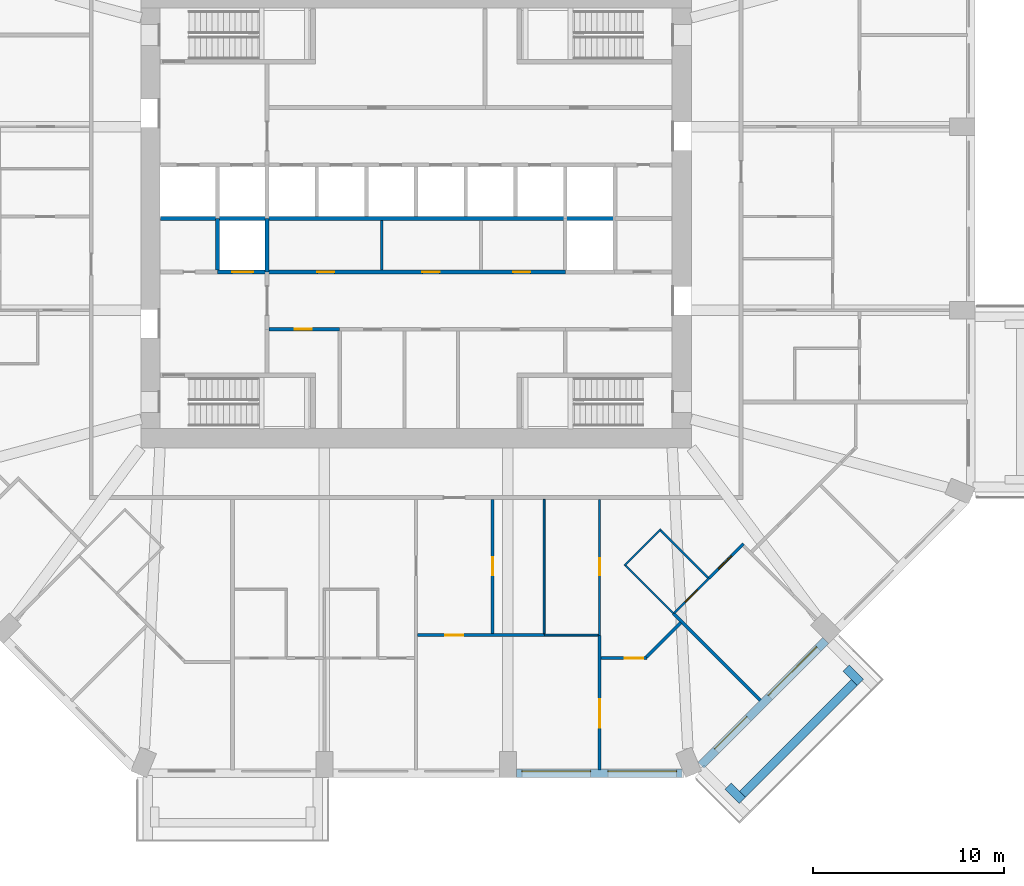
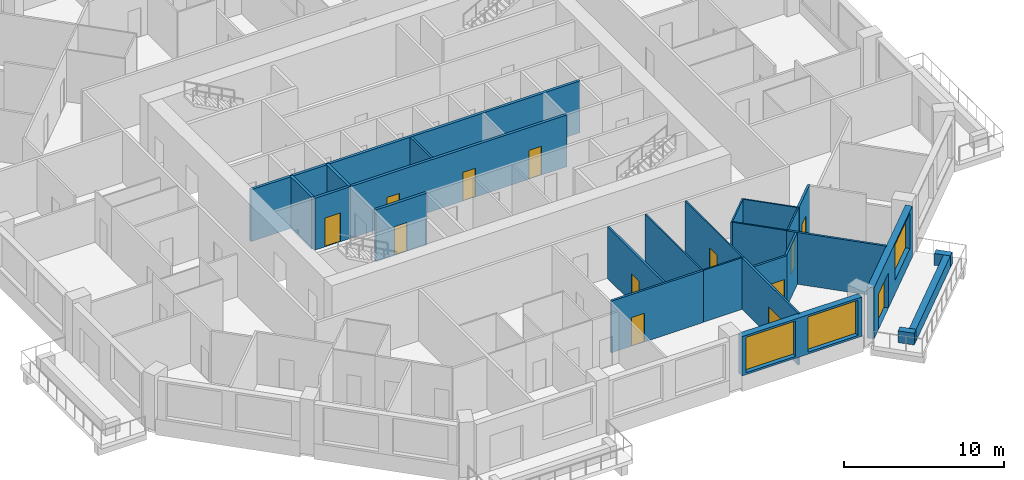
# One storey, part 5 of 13: 26 walls, 13 doors, 3 windows, 16 openings.
"""IFC4 building model written with IfcOpenShell, lengths in metres."""

import ifcopenshell
import ifcopenshell.guid

model = None  # the IFC model being written
_history = None  # IfcOwnerHistory: only IFC2X3 demands one
_inside = {}  # id of a spatial element -> (the spatial element, [elements in it])
_under = {}  # id of a project, library or spatial element -> (it, [spatial elements below it])
_declared = {}  # id of a project -> (the project, [libraries it declares])
_typed = {}  # id of a type object -> (the type object, [elements of that type])
_made_of = {}  # id of a material, layer set ... -> (it, [elements and type objects made of it])


def new_model(schema):
    """Start an empty IFC model of exactly this schema.

    Asked for "IFC4X3", IfcOpenShell would pick the latest addendum, in which some entities
    have other attributes; the version numbers below select the first issue.
    IFC2X3 requires an IfcOwnerHistory on every rooted entity: one is made here for all.
    """
    global model, _history
    if schema == "IFC4X3":
        model = ifcopenshell.file(schema_version=(4, 3, 0, 0))
    else:
        model = ifcopenshell.file(schema=schema)
    _inside.clear()
    _under.clear()
    _declared.clear()
    _typed.clear()
    _made_of.clear()
    _history = None
    if model.schema == "IFC2X3":
        org = make("IfcOrganization", Name="unknown")
        user = make(
            "IfcPersonAndOrganization",
            ThePerson=make("IfcPerson", FamilyName="unknown"),
            TheOrganization=org,
        )
        app = make(
            "IfcApplication",
            ApplicationDeveloper=org,
            Version="unknown",
            ApplicationFullName="unknown",
            ApplicationIdentifier="unknown",
        )
        _history = make(
            "IfcOwnerHistory",
            OwningUser=user,
            OwningApplication=app,
            ChangeAction="ADDED",
            CreationDate=0,
        )
    return model


def make(cls, **values):
    """One entity of the class cls with the attributes given. An attribute that is None is left unset."""
    return model.create_entity(
        cls, **{name: value for name, value in values.items() if value is not None}
    )


def rooted(cls, **values):
    """An entity with a GlobalId (a new one), such as an element, a storey or a relation."""
    return make(cls, GlobalId=ifcopenshell.guid.new(), OwnerHistory=_history, **values)


def si_unit(unit_type, name, prefix=None):
    """IfcSIUnit, for example si_unit("LENGTHUNIT", "METRE", prefix="MILLI")."""
    return make("IfcSIUnit", UnitType=unit_type, Prefix=prefix, Name=name)


def assignment(units):
    """IfcUnitAssignment: the units of a project."""
    return None if units is None else make("IfcUnitAssignment", Units=units)


def point(xyz):
    """IfcCartesianPoint."""
    return None if xyz is None else make("IfcCartesianPoint", Coordinates=xyz)


def direction(xyz):
    """IfcDirection."""
    return None if xyz is None else make("IfcDirection", DirectionRatios=xyz)


def frame(location, z_axis=None, x_axis=None):
    """IfcAxis2Placement3D, a coordinate frame: its origin and axes. An axis left out is left unset."""
    return make(
        "IfcAxis2Placement3D",
        Location=point(location),
        Axis=direction(z_axis),
        RefDirection=direction(x_axis),
    )


def frame_2d(location, x_axis=None):
    """IfcAxis2Placement2D, a coordinate frame in the plane: its origin and x axis."""
    return make(
        "IfcAxis2Placement2D", Location=point(location), RefDirection=direction(x_axis)
    )


def origin():
    """The frame at (0, 0, 0) with its axes left unset."""
    return frame((0.0, 0.0, 0.0))


def place(relative_to, where):
    """IfcLocalPlacement: puts the frame where relative to a parent placement (None: the world)."""
    return make(
        "IfcLocalPlacement", PlacementRelTo=relative_to, RelativePlacement=where
    )


def context(
    kind, dimensions, precision=None, world=None, true_north=None, identifier=None
):
    """IfcGeometricRepresentationContext, for example the 3D "Model" context."""
    return make(
        "IfcGeometricRepresentationContext",
        ContextIdentifier=identifier,
        ContextType=kind,
        CoordinateSpaceDimension=dimensions,
        Precision=precision,
        WorldCoordinateSystem=world,
        TrueNorth=true_north,
    )


def subcontext(parent, identifier, kind, view, scale=None):
    """IfcGeometricRepresentationSubContext, for example "Body" below "Model"."""
    return make(
        "IfcGeometricRepresentationSubContext",
        ContextIdentifier=identifier,
        ContextType=kind,
        ParentContext=parent,
        TargetScale=scale,
        TargetView=view,
    )


def project(units=None, contexts=None):
    """IfcProject with its units and contexts."""
    return rooted(
        "IfcProject",
        Name="project",
        RepresentationContexts=contexts,
        UnitsInContext=assignment(units),
    )


def spatial(cls, under=None, at=None, **own):
    """A site, building, storey or space (cls), placed at a placement, below another one or the project."""
    s = rooted(cls, ObjectPlacement=at, **own)
    if under is not None:
        _under.setdefault(under.id(), (under, []))[1].append(s)
    return s


def profile(cls, at=None, kind="AREA", **sizes):
    """A parametric profile (cls). Its sizes go by their IFC names, for example OverallWidth=200.0."""
    return make(cls, ProfileType=kind, Position=at, **sizes)


def rectangle(**sizes):
    """IfcRectangleProfileDef."""
    return profile("IfcRectangleProfileDef", **sizes)


def extrude(swept, where, along, depth):
    """IfcExtrudedAreaSolid: the profile swept, set in the frame where, extruded along a direction by depth."""
    return make(
        "IfcExtrudedAreaSolid",
        SweptArea=swept,
        Position=where,
        ExtrudedDirection=direction(along),
        Depth=depth,
    )


def shape(context_of_items, identifier, shape_type, items):
    """IfcShapeRepresentation: the items that make up one representation, for example the "Body"."""
    return make(
        "IfcShapeRepresentation",
        ContextOfItems=context_of_items,
        RepresentationIdentifier=identifier,
        RepresentationType=shape_type,
        Items=items,
    )


def material(Name=None, Category=None):
    """IfcMaterial."""
    return make("IfcMaterial", Name=Name, Category=Category)


def layer(
    of_material, thickness, ventilated=None, Name=None, Category=None, Priority=None
):
    """IfcMaterialLayer: one layer of a wall or slab, of a material (None: an air gap)."""
    return make(
        "IfcMaterialLayer",
        Material=of_material,
        LayerThickness=thickness,
        IsVentilated=ventilated,
        Name=Name,
        Category=Category,
        Priority=Priority,
    )


def layer_set(layers, Name=None):
    """IfcMaterialLayerSet."""
    return make("IfcMaterialLayerSet", MaterialLayers=layers, LayerSetName=Name)


def made_of(thing, what):
    """Note that an element or type object is made of a material, layer set ...; save() writes the relation."""
    if what is not None:
        _made_of.setdefault(what.id(), (what, []))[1].append(thing)
    return thing


def type_object(cls, material=None, **own):
    """A type object (cls), such as IfcWallType, which elements share."""
    return made_of(rooted(cls, **own), material)


def element(
    cls,
    number,
    at=None,
    inside=None,
    cuts=None,
    type_object=None,
    material=None,
    context=None,
    identifier="Body",
    shape_type=None,
    held_by="IfcProductDefinitionShape",
    body=None,
    shapes=None,
    **own,
):
    """One element of the class cls, such as IfcWall. Its Tag is "e" and its number.

    at: its placement. inside: the storey or other place that contains it. cuts: it is an
    opening in that element (IfcRelVoidsElement). A single representation is given by context,
    identifier, shape_type and body (its items); several are given by shapes. held_by: the class
    of the entity that holds the representations. save() writes the other relations.
    """
    e = rooted(cls, Tag="e%d" % number, ObjectPlacement=at, **own)
    if body is not None:
        shapes = [shape(context, identifier, shape_type, body)]
    if shapes is not None:
        e.Representation = make(held_by, Representations=shapes)
    if inside is not None:
        _inside.setdefault(inside.id(), (inside, []))[1].append(e)
    if cuts is not None:
        rooted(
            "IfcRelVoidsElement", RelatingBuildingElement=cuts, RelatedOpeningElement=e
        )
    if type_object is not None:
        _typed.setdefault(type_object.id(), (type_object, []))[1].append(e)
    return made_of(e, material)


def fill(opening, filler):
    """IfcRelFillsElement: the door or window that sits in an opening."""
    return rooted(
        "IfcRelFillsElement",
        RelatingOpeningElement=opening,
        RelatedBuildingElement=filler,
    )


def aggregate(whole, parts):
    """IfcRelAggregates: a whole, such as a stair, and the parts it consists of."""
    return rooted("IfcRelAggregates", RelatingObject=whole, RelatedObjects=parts)


def save(model, path):
    """Write the relations noted so far, then the file.

    IfcRelAggregates (storeys below a building ...), IfcRelContainedInSpatialStructure (elements
    in a storey), IfcRelDefinesByType, IfcRelAssociatesMaterial and IfcRelDeclares: one each for
    every whole, place, type object, material and project.
    """
    for whole, parts in _under.values():
        aggregate(whole, parts)
    for where, things in _inside.values():
        rooted(
            "IfcRelContainedInSpatialStructure",
            RelatedElements=things,
            RelatingStructure=where,
        )
    for kind, things in _typed.values():
        rooted("IfcRelDefinesByType", RelatedObjects=things, RelatingType=kind)
    for what, things in _made_of.values():
        rooted("IfcRelAssociatesMaterial", RelatedObjects=things, RelatingMaterial=what)
    for by, libraries in _declared.values():
        rooted("IfcRelDeclares", RelatingContext=by, RelatedDefinitions=libraries)
    model.write(path)


model = new_model("IFC4")

# Units and contexts
model_context = context("Model", 3, precision=1e-05, world=origin(), true_north=direction((0.0, 1.0)))
body_context = subcontext(model_context, "Body", "Model", "MODEL_VIEW")
ifc_project = project(units=[si_unit("LENGTHUNIT", "METRE"), si_unit("AREAUNIT", "SQUARE_METRE"), si_unit("VOLUMEUNIT", "CUBIC_METRE"), si_unit("PLANEANGLEUNIT", "RADIAN"), si_unit("MASSUNIT", "GRAM", prefix="KILO")], contexts=[model_context])

# Site, building, storey
site_placement = place(None, origin())
site = spatial("IfcSite", under=ifc_project, at=site_placement, CompositionType="ELEMENT")
building_placement = place(site_placement, origin())
building = spatial("IfcBuilding", under=site, at=building_placement, Name="Msitu Wima Residences", CompositionType="ELEMENT")
storey_placement = place(building_placement, frame((0.0, 0.0, 54.89990234375)))
storey = spatial("IfcBuildingStorey", under=building, at=storey_placement, Name="L12", CompositionType="ELEMENT", Elevation=54.89990234375)

# Walls
ifc_material_1 = material(Name="Facing brick")
ifc_layer_1 = layer(ifc_material_1, 0.06494140625, Name="Facing brick")
ifc_material_2 = material(Name="Concrete C40/50", Category="concrete")
ifc_layer_2 = layer(ifc_material_2, 0.156005859375, Name="Concrete C40/50")
ifc_material_3 = material(Name="Waterproofing membrane")
ifc_layer_3 = layer(ifc_material_3, 0.00390625, Name="Waterproofing membrane")
ifc_material_4 = material(Name="Planting soil and planting")
ifc_layer_4 = layer(ifc_material_4, 0.22509765625, Name="Planting soil and planting")
ifc_layer_set_1 = layer_set([ifc_layer_1, ifc_layer_2, ifc_layer_3, ifc_layer_4], Name="Concrete C40/50")
wall_type_1 = type_object("IfcWallType", Name="Balcony planter PLANTER PL450", PredefinedType="USERDEFINED", material=ifc_layer_set_1)
wall_1_placement = place(storey_placement, frame((17.0693359375, -30.125732421875, 0.0), z_axis=(0.0, 0.0, 1.0), x_axis=(0.707106781187, 0.707106781187, 0.0)))
element("IfcWall", 1, at=wall_1_placement, inside=storey, type_object=wall_type_1, Name="Balcony planter SE0 L12", ObjectType="PLANTER", PredefinedType="USERDEFINED", context=body_context, shape_type="SweptSolid", body=[
    extrude(rectangle(XDim=8.2822265625, YDim=0.449951171875, at=frame_2d((4.14111328125, 0.0))), origin(), (0.0, 0.0, 1.0), 0.900146484375),
])
for number, where, z_axis, x_axis, name in (
    (2, (16.326904296875, -29.70166015625, 0.0), (0.0, 0.0, 1.0), (0.707106781187, -0.707106781187, 0.0), "Balcony planter SE0 L12"),
    (3, (22.50146484375, -23.52685546875, 0.0), (0.0, 0.0, 1.0), (0.707223014731, -0.706990528533, 0.0), "Balcony planter SE0 L12"),
):
    element("IfcWall", number, at=place(storey_placement, frame(where, z_axis=z_axis, x_axis=x_axis)), inside=storey, type_object=wall_type_1, Name=name, ObjectType="PLANTER", PredefinedType="USERDEFINED", context=body_context, shape_type="SweptSolid", body=[
        extrude(rectangle(XDim=1.050048828125, YDim=0.449951171875, at=frame_2d((0.52490234375, 0.0))), origin(), (0.0, 0.0, 1.0), 0.900146484375),
    ])

# Wall, openings, windows
ifc_material_5 = material(Name="Brick (red buff mix)", Category="masonry")
ifc_layer_5 = layer(ifc_material_5, 0.449951171875)
ifc_layer_set_2 = layer_set([ifc_layer_5], Name="Brick (red buff mix)")
wall_type_2 = type_object("IfcWallType", Name="Brick infill wall BW450", PredefinedType="SOLIDWALL", material=ifc_layer_set_2)
wall_2_placement = place(storey_placement, frame((5.25, -29.02490234375, 0.900146484375), z_axis=(0.0, 0.0, 1.0), x_axis=(1.0, 0.0, 0.0)))
wall_2 = element("IfcWall", 4, at=wall_2_placement, inside=storey, type_object=wall_type_2, Name="Brick infill wall L12 S2", PredefinedType="SOLIDWALL", context=body_context, shape_type="SweptSolid", body=[
    extrude(rectangle(XDim=8.662841796875, YDim=0.449951171875, at=frame_2d((4.33154296875, 0.0))), origin(), (0.0, 0.0, 1.0), 3.0),
])
opening_1_placement = place(wall_2_placement, frame((0.281494140625, 0.0, 0.14990234375)))
opening_1 = element("IfcOpeningElement", 5, at=opening_1_placement, cuts=wall_2, Name="Opening W11-12.020", PredefinedType="OPENING", context=body_context, shape_type="SweptSolid", body=[
    extrude(rectangle(XDim=3.60009765625, YDim=2.699951171875, at=frame_2d((1.800048828125, 1.35009765625))), frame((0.0, 0.23486328125, 0.0), z_axis=(0.0, -1.0, 0.0), x_axis=(1.0, 0.0, 0.0)), (0.0, 0.0, 1.0), 0.469970703125),
])
opening_2_placement = place(wall_2_placement, frame((4.781494140625, 0.0, 0.14990234375)))
opening_2 = element("IfcOpeningElement", 6, at=opening_2_placement, cuts=wall_2, Name="Opening W11-12.021", PredefinedType="OPENING", context=body_context, shape_type="SweptSolid", body=[
    extrude(rectangle(XDim=3.60009765625, YDim=2.699951171875, at=frame_2d((1.800048828125, 1.35009765625))), frame((0.0, 0.23486328125, 0.0), z_axis=(0.0, -1.0, 0.0), x_axis=(1.0, 0.0, 0.0)), (0.0, 0.0, 1.0), 0.469970703125),
])
ifc_material_6 = material(Name="Anodised aluminium, bronze finish, clear low-emissivity double glazing", Category="aluminium")
window_type = type_object("IfcWindowType", Name="Window W3600x2700", PartitioningType="DOUBLE_PANEL_VERTICAL", PredefinedType="WINDOW", material=ifc_material_6)
window_1_placement = place(opening_1_placement, origin())
window_1 = element("IfcWindow", 7, at=window_1_placement, inside=storey, type_object=window_type, Name="Window L12 S2.1", OverallHeight=2.699951171875, OverallWidth=3.60009765625, PartitioningType="SINGLE_PANEL", PredefinedType="WINDOW", context=body_context, shape_type="SweptSolid", body=[
    extrude(rectangle(XDim=3.60009765625, YDim=2.699951171875, at=frame_2d((1.800048828125, 1.35009765625))), frame((0.0, 0.135009765625, 0.0), z_axis=(0.0, -1.0, 0.0), x_axis=(1.0, 0.0, 0.0)), (0.0, 0.0, 1.0), 0.06005859375),
])
fill(opening_1, window_1)
window_2_placement = place(opening_2_placement, origin())
window_2 = element("IfcWindow", 8, at=window_2_placement, inside=storey, type_object=window_type, Name="Window L12 S2.2", OverallHeight=2.699951171875, OverallWidth=3.60009765625, PartitioningType="SINGLE_PANEL", PredefinedType="WINDOW", context=body_context, shape_type="SweptSolid", body=[
    extrude(rectangle(XDim=3.60009765625, YDim=2.699951171875, at=frame_2d((1.800048828125, 1.35009765625))), frame((0.0, 0.135009765625, 0.0), z_axis=(0.0, -1.0, 0.0), x_axis=(1.0, 0.0, 0.0)), (0.0, 0.0, 1.0), 0.06005859375),
])
fill(opening_2, window_2)

# Wall, openings, door, window
wall_3_placement = place(storey_placement, frame((14.903564453125, -28.61474609375, 0.0), z_axis=(0.0, 0.0, 1.0), x_axis=(0.707106781187, 0.707106781187, 0.0)))
wall_3 = element("IfcWall", 9, at=wall_3_placement, inside=storey, type_object=wall_type_2, Name="Brick infill wall L12 SE0", PredefinedType="SOLIDWALL", context=body_context, shape_type="SweptSolid", body=[
    extrude(rectangle(XDim=9.2451171875, YDim=0.449951171875, at=frame_2d((4.62255859375, 0.0))), origin(), (0.0, 0.0, 1.0), 3.900146484375),
])
opening_3_placement = place(wall_3_placement, frame((1.111328125, 0.0, 0.0)))
opening_3 = element("IfcOpeningElement", 10, at=opening_3_placement, cuts=wall_3, Name="Opening D11-12.006", PredefinedType="OPENING", context=body_context, shape_type="SweptSolid", body=[
    extrude(rectangle(XDim=2.39990234375, YDim=2.699951171875, at=frame_2d((1.199951171875, 1.35009765625))), frame((0.0, 0.23486328125, 0.0), z_axis=(0.0, -1.0, 0.0), x_axis=(1.0, 0.0, 0.0)), (0.0, 0.0, 1.0), 0.469970703125),
])
opening_4_placement = place(wall_3_placement, frame((5.072509765625, 0.0, 1.050048828125)))
opening_4 = element("IfcOpeningElement", 11, at=opening_4_placement, cuts=wall_3, Name="Opening W11-12.022", PredefinedType="OPENING", context=body_context, shape_type="SweptSolid", body=[
    extrude(rectangle(XDim=3.60009765625, YDim=2.699951171875, at=frame_2d((1.800048828125, 1.35009765625))), frame((0.0, 0.23486328125, 0.0), z_axis=(0.0, -1.0, 0.0), x_axis=(1.0, 0.0, 0.0)), (0.0, 0.0, 1.0), 0.469970703125),
])
door_type_1 = type_object("IfcDoorType", Name="Balcony door D2400x2700", OperationType="SLIDING_TO_LEFT", PredefinedType="DOOR", material=ifc_material_6)
door_1_placement = place(opening_3_placement, origin())
door_1 = element("IfcDoor", 12, at=door_1_placement, inside=storey, type_object=door_type_1, Name="Balcony door L12 SE0", OperationType="SINGLE_SWING_LEFT", OverallHeight=2.699951171875, OverallWidth=2.39990234375, PredefinedType="DOOR", context=body_context, shape_type="SweptSolid", body=[
    extrude(rectangle(XDim=2.39990234375, YDim=2.699951171875, at=frame_2d((1.199951171875, 1.35009765625))), frame((0.0, 0.1298828125, 0.0), z_axis=(0.0, -1.0, 0.0), x_axis=(1.0, 0.0, 0.0)), (0.0, 0.0, 1.0), 0.050048828125),
])
fill(opening_3, door_1)
window_3_placement = place(opening_4_placement, origin())
window_3 = element("IfcWindow", 13, at=window_3_placement, inside=storey, type_object=window_type, Name="Window L12 SE0.2", OverallHeight=2.699951171875, OverallWidth=3.60009765625, PartitioningType="SINGLE_PANEL", PredefinedType="WINDOW", context=body_context, shape_type="SweptSolid", body=[
    extrude(rectangle(XDim=3.60009765625, YDim=2.699951171875, at=frame_2d((1.800048828125, 1.35009765625))), frame((0.0, 0.135009765625, 0.0), z_axis=(0.0, -1.0, 0.0), x_axis=(1.0, 0.0, 0.0)), (0.0, 0.0, 1.0), 0.06005859375),
])
fill(opening_4, window_3)

# Wall, openings, doors
ifc_material_7 = material(Name="Plaster")
ifc_layer_6 = layer(ifc_material_7, 0.011962890625, Name="Plaster")
ifc_material_8 = material(Name="Concrete blockwork", Category="masonry")
ifc_layer_7 = layer(ifc_material_8, 0.176025390625, Name="Concrete blockwork")
ifc_layer_8 = layer(ifc_material_7, 0.011962890625, Name="Plaster")
ifc_layer_set_3 = layer_set([ifc_layer_6, ifc_layer_7, ifc_layer_8], Name="Concrete blockwork")
wall_type_3 = type_object("IfcWallType", Name="Corridor wall FW200", PredefinedType="PARTITIONING", material=ifc_layer_set_3)
wall_4_placement = place(storey_placement, frame((-7.820068359375, -2.800048828125, 0.0), z_axis=(0.0, 0.0, 1.0), x_axis=(1.0, 0.0, 0.0)))
wall_4 = element("IfcWall", 14, at=wall_4_placement, inside=storey, type_object=wall_type_3, Name="Corridor wall", PredefinedType="PARTITIONING", context=body_context, shape_type="SweptSolid", body=[
    extrude(rectangle(XDim=15.64013671875, YDim=0.199951171875, at=frame_2d((7.820068359375, 0.0))), origin(), (0.0, 0.0, 1.0), 3.9501953125),
])
opening_5_placement = place(wall_4_placement, frame((2.64990234375, 0.0, 0.0)))
opening_5 = element("IfcOpeningElement", 15, at=opening_5_placement, cuts=wall_4, Name="Opening D11-12.028", PredefinedType="OPENING", context=body_context, shape_type="SweptSolid", body=[
    extrude(rectangle(XDim=0.89990234375, YDim=2.199951171875, at=frame_2d((0.449951171875, 1.10009765625))), frame((0.0, 0.10986328125, 0.0), z_axis=(0.0, -1.0, 0.0), x_axis=(1.0, 0.0, 0.0)), (0.0, 0.0, 1.0), 0.219970703125),
])
opening_6_placement = place(wall_4_placement, frame((8.14990234375, 0.0, 0.0)))
opening_6 = element("IfcOpeningElement", 16, at=opening_6_placement, cuts=wall_4, Name="Opening D11-12.029", PredefinedType="OPENING", context=body_context, shape_type="SweptSolid", body=[
    extrude(rectangle(XDim=0.89990234375, YDim=2.199951171875, at=frame_2d((0.449951171875, 1.10009765625))), frame((0.0, 0.10986328125, 0.0), z_axis=(0.0, -1.0, 0.0), x_axis=(1.0, 0.0, 0.0)), (0.0, 0.0, 1.0), 0.219970703125),
])
opening_7_placement = place(wall_4_placement, frame((12.89990234375, 0.0, 0.0)))
opening_7 = element("IfcOpeningElement", 17, at=opening_7_placement, cuts=wall_4, Name="Opening D11-12.030", PredefinedType="OPENING", context=body_context, shape_type="SweptSolid", body=[
    extrude(rectangle(XDim=0.89990234375, YDim=2.199951171875, at=frame_2d((0.449951171875, 1.10009765625))), frame((0.0, 0.10986328125, 0.0), z_axis=(0.0, -1.0, 0.0), x_axis=(1.0, 0.0, 0.0)), (0.0, 0.0, 1.0), 0.219970703125),
])
ifc_material_9 = material(Name="Timber flush door", Category="wood")
door_type_2 = type_object("IfcDoorType", Name="Service door D05 900x2200", OperationType="SINGLE_SWING_LEFT", PredefinedType="DOOR", material=ifc_material_9)
door_2_placement = place(opening_5_placement, origin())
door_2 = element("IfcDoor", 18, at=door_2_placement, inside=storey, type_object=door_type_2, Name="Service door", OperationType="SINGLE_SWING_RIGHT", OverallHeight=2.199951171875, OverallWidth=0.89990234375, PredefinedType="DOOR", context=body_context, shape_type="SweptSolid", body=[
    extrude(rectangle(XDim=0.89990234375, YDim=2.199951171875, at=frame_2d((0.449951171875, 1.10009765625))), frame((0.0, 0.02490234375, 0.0), z_axis=(0.0, -1.0, 0.0), x_axis=(1.0, 0.0, 0.0)), (0.0, 0.0, 1.0), 0.050048828125),
])
fill(opening_5, door_2)
door_3_placement = place(opening_6_placement, origin())
door_3 = element("IfcDoor", 19, at=door_3_placement, inside=storey, type_object=door_type_2, Name="Service door", OperationType="SINGLE_SWING_LEFT", OverallHeight=2.199951171875, OverallWidth=0.89990234375, PredefinedType="DOOR", context=body_context, shape_type="SweptSolid", body=[
    extrude(rectangle(XDim=0.89990234375, YDim=2.199951171875, at=frame_2d((0.449951171875, 1.10009765625))), frame((0.0, 0.02490234375, 0.0), z_axis=(0.0, -1.0, 0.0), x_axis=(1.0, 0.0, 0.0)), (0.0, 0.0, 1.0), 0.050048828125),
])
fill(opening_6, door_3)
door_4_placement = place(opening_7_placement, origin())
door_4 = element("IfcDoor", 20, at=door_4_placement, inside=storey, type_object=door_type_2, Name="Service door", OperationType="SINGLE_SWING_LEFT", OverallHeight=2.199951171875, OverallWidth=0.89990234375, PredefinedType="DOOR", context=body_context, shape_type="SweptSolid", body=[
    extrude(rectangle(XDim=0.89990234375, YDim=2.199951171875, at=frame_2d((0.449951171875, 1.10009765625))), frame((0.0, 0.02490234375, 0.0), z_axis=(0.0, -1.0, 0.0), x_axis=(1.0, 0.0, 0.0)), (0.0, 0.0, 1.0), 0.050048828125),
])
fill(opening_7, door_4)

# Wall
ifc_layer_9 = layer(ifc_material_7, 0.011962890625, Name="Plaster")
ifc_layer_10 = layer(ifc_material_8, 0.1259765625, Name="Concrete blockwork")
ifc_layer_11 = layer(ifc_material_7, 0.011962890625, Name="Plaster")
ifc_layer_set_4 = layer_set([ifc_layer_9, ifc_layer_10, ifc_layer_11], Name="Concrete blockwork")
wall_type_4 = type_object("IfcWallType", Name="Partition PW150", PredefinedType="PARTITIONING", material=ifc_layer_set_4)
wall_5_placement = place(storey_placement, frame((-1.800048828125, -2.699951171875, 0.0), z_axis=(0.0, 0.0, 1.0), x_axis=(0.0, 1.0, 0.0)))
element("IfcWall", 21, at=wall_5_placement, inside=storey, type_object=wall_type_4, Name="Partition", PredefinedType="PARTITIONING", context=body_context, shape_type="SweptSolid", body=[
    extrude(rectangle(XDim=2.599853515625, YDim=0.14990234375, at=frame_2d((1.2998046875, 0.0))), origin(), (0.0, 0.0, 1.0), 3.9501953125),
])

# Wall, opening, door
wall_6_placement = place(storey_placement, frame((0.074951171875, -21.800048828125, 0.0), z_axis=(0.0, 0.0, 1.0), x_axis=(1.0, 0.0, 0.0)))
wall_6 = element("IfcWall", 22, at=wall_6_placement, inside=storey, type_object=wall_type_4, Name="Partition", PredefinedType="PARTITIONING", context=body_context, shape_type="SweptSolid", body=[
    extrude(rectangle(XDim=6.64501953125, YDim=0.14990234375, at=frame_2d((3.322509765625, 0.0))), origin(), (0.0, 0.0, 1.0), 3.9501953125),
])
opening_8_placement = place(wall_6_placement, frame((1.449951171875, 0.0, 0.0)))
opening_8 = element("IfcOpeningElement", 23, at=opening_8_placement, cuts=wall_6, Name="Opening D11-12.073", PredefinedType="OPENING", context=body_context, shape_type="SweptSolid", body=[
    extrude(rectangle(XDim=0.949951171875, YDim=2.199951171875, at=frame_2d((0.47509765625, 1.10009765625))), frame((0.0, 0.0849609375, 0.0), z_axis=(0.0, -1.0, 0.0), x_axis=(1.0, 0.0, 0.0)), (0.0, 0.0, 1.0), 0.169921875),
])
door_type_3 = type_object("IfcDoorType", Name="Room door D12 950x2200", OperationType="SINGLE_SWING_LEFT", PredefinedType="DOOR", material=ifc_material_9)
door_5_placement = place(opening_8_placement, origin())
door_5 = element("IfcDoor", 24, at=door_5_placement, inside=storey, type_object=door_type_3, Name="Room door", OperationType="SINGLE_SWING_RIGHT", OverallHeight=2.199951171875, OverallWidth=0.949951171875, PredefinedType="DOOR", context=body_context, shape_type="SweptSolid", body=[
    extrude(rectangle(XDim=0.949951171875, YDim=2.199951171875, at=frame_2d((0.47509765625, 1.10009765625))), frame((0.0, 0.02490234375, 0.0), z_axis=(0.0, -1.0, 0.0), x_axis=(1.0, 0.0, 0.0)), (0.0, 0.0, 1.0), 0.050048828125),
])
fill(opening_8, door_5)

wall_7_placement = place(storey_placement, frame((4.0, -21.72509765625, 0.0), z_axis=(0.0, 0.0, 1.0), x_axis=(0.0, 1.0, 0.0)))
wall_7 = element("IfcWall", 25, at=wall_7_placement, inside=storey, type_object=wall_type_4, Name="Partition", PredefinedType="PARTITIONING", context=body_context, shape_type="SweptSolid", body=[
    extrude(rectangle(XDim=7.025146484375, YDim=0.14990234375, at=frame_2d((3.5126953125, 0.0))), origin(), (0.0, 0.0, 1.0), 3.9501953125),
])
opening_9_placement = place(wall_7_placement, frame((3.050048828125, 0.0, 0.0)))
opening_9 = element("IfcOpeningElement", 26, at=opening_9_placement, cuts=wall_7, Name="Opening D11-12.078", PredefinedType="OPENING", context=body_context, shape_type="SweptSolid", body=[
    extrude(rectangle(XDim=0.949951171875, YDim=2.199951171875, at=frame_2d((0.47509765625, 1.10009765625))), frame((0.0, 0.0849609375, 0.0), z_axis=(0.0, -1.0, 0.0), x_axis=(1.0, 0.0, 0.0)), (0.0, 0.0, 1.0), 0.169921875),
])
door_6_placement = place(opening_9_placement, origin())
door_6 = element("IfcDoor", 27, at=door_6_placement, inside=storey, type_object=door_type_3, Name="Room door", OperationType="SINGLE_SWING_LEFT", OverallHeight=2.199951171875, OverallWidth=0.949951171875, PredefinedType="DOOR", context=body_context, shape_type="SweptSolid", body=[
    extrude(rectangle(XDim=0.949951171875, YDim=2.199951171875, at=frame_2d((0.47509765625, 1.10009765625))), frame((0.0, 0.02490234375, 0.0), z_axis=(0.0, -1.0, 0.0), x_axis=(1.0, 0.0, 0.0)), (0.0, 0.0, 1.0), 0.050048828125),
])
fill(opening_9, door_6)

wall_8_placement = place(storey_placement, frame((9.60009765625, -28.85498046875, 0.0), z_axis=(0.0, 0.0, 1.0), x_axis=(0.0, 1.0, 0.0)))
wall_8 = element("IfcWall", 28, at=wall_8_placement, inside=storey, type_object=wall_type_4, Name="Partition", PredefinedType="PARTITIONING", context=body_context, shape_type="SweptSolid", body=[
    extrude(rectangle(XDim=7.034912109375, YDim=0.14990234375, at=frame_2d((3.517578125, 0.0))), origin(), (0.0, 0.0, 1.0), 3.9501953125),
])
opening_10_placement = place(wall_8_placement, frame((2.199951171875, 0.0, 0.0)))
opening_10 = element("IfcOpeningElement", 29, at=opening_10_placement, cuts=wall_8, Name="Opening D11-12.079", PredefinedType="OPENING", context=body_context, shape_type="SweptSolid", body=[
    extrude(rectangle(XDim=1.5, YDim=2.199951171875, at=frame_2d((0.75, 1.10009765625))), frame((0.0, 0.0849609375, 0.0), z_axis=(0.0, -1.0, 0.0), x_axis=(1.0, 0.0, 0.0)), (0.0, 0.0, 1.0), 0.169921875),
])
ifc_material_10 = material(Name="Timber double door", Category="wood")
door_type_4 = type_object("IfcDoorType", Name="Double door D04 1500x2200", OperationType="DOUBLE_DOOR_SINGLE_SWING", PredefinedType="DOOR", material=ifc_material_10)
door_7_placement = place(opening_10_placement, origin())
door_7 = element("IfcDoor", 30, at=door_7_placement, inside=storey, type_object=door_type_4, Name="Double door", OperationType="DOUBLE_DOOR_SINGLE_SWING", OverallHeight=2.199951171875, OverallWidth=1.5, PredefinedType="DOOR", context=body_context, shape_type="SweptSolid", body=[
    extrude(rectangle(XDim=1.5, YDim=2.199951171875, at=frame_2d((0.75, 1.10009765625))), frame((0.0, 0.02490234375, 0.0), z_axis=(0.0, -1.0, 0.0), x_axis=(1.0, 0.0, 0.0)), (0.0, 0.0, 1.0), 0.050048828125),
])
fill(opening_10, door_7)

wall_9_placement = place(storey_placement, frame((9.675048828125, -23.0, 0.0), z_axis=(0.0, 0.0, 1.0), x_axis=(1.0, 0.0, 0.0)))
wall_9 = element("IfcWall", 31, at=wall_9_placement, inside=storey, type_object=wall_type_4, Name="Partition", PredefinedType="PARTITIONING", context=body_context, shape_type="SweptSolid", body=[
    extrude(rectangle(XDim=2.3974609375, YDim=0.14990234375, at=frame_2d((1.19873046875, 0.0))), origin(), (0.0, 0.0, 1.0), 3.9501953125),
])
opening_11_placement = place(wall_9_placement, frame((1.25, 0.0, 0.0)))
opening_11 = element("IfcOpeningElement", 32, at=opening_11_placement, cuts=wall_9, Name="Opening D11-12.080", PredefinedType="OPENING", context=body_context, shape_type="SweptSolid", body=[
    extrude(rectangle(XDim=0.949951171875, YDim=2.199951171875, at=frame_2d((0.47509765625, 1.10009765625))), frame((0.0, 0.0849609375, 0.0), z_axis=(0.0, -1.0, 0.0), x_axis=(1.0, 0.0, 0.0)), (0.0, 0.0, 1.0), 0.169921875),
])
door_8_placement = place(opening_11_placement, origin())
door_8 = element("IfcDoor", 33, at=door_8_placement, inside=storey, type_object=door_type_3, Name="Room door", OperationType="SINGLE_SWING_RIGHT", OverallHeight=2.199951171875, OverallWidth=0.949951171875, PredefinedType="DOOR", context=body_context, shape_type="SweptSolid", body=[
    extrude(rectangle(XDim=0.949951171875, YDim=2.199951171875, at=frame_2d((0.47509765625, 1.10009765625))), frame((0.0, 0.02490234375, 0.0), z_axis=(0.0, -1.0, 0.0), x_axis=(1.0, 0.0, 0.0)), (0.0, 0.0, 1.0), 0.050048828125),
])
fill(opening_11, door_8)

# Walls
wall_10_placement = place(storey_placement, frame((12.050537109375, -22.947021484375, 0.0), z_axis=(0.0, 0.0, 1.0), x_axis=(0.707106781187, 0.707106781187, 0.0)))
element("IfcWall", 34, at=wall_10_placement, inside=storey, type_object=wall_type_4, Name="Partition", PredefinedType="PARTITIONING", context=body_context, shape_type="SweptSolid", body=[
    extrude(rectangle(XDim=2.538818359375, YDim=0.14990234375, at=frame_2d((1.26953125, 0.0))), origin(), (0.0, 0.0, 1.0), 3.9501953125),
])
wall_11_placement = place(storey_placement, frame((13.46044921875, -20.660400390625, 0.0), z_axis=(0.0, 0.0, 1.0), x_axis=(0.707087840404, -0.707125721462, 0.0)))
element("IfcWall", 35, at=wall_11_placement, inside=storey, type_object=wall_type_4, Name="Partition", PredefinedType="PARTITIONING", context=body_context, shape_type="SweptSolid", body=[
    extrude(rectangle(XDim=6.44482421875, YDim=0.14990234375, at=frame_2d((3.222412109375, 0.0))), origin(), (0.0, 0.0, 1.0), 3.9501953125),
])

# Wall, opening, door
wall_12_placement = place(storey_placement, frame((15.3271484375, -18.82177734375, 0.0), z_axis=(0.0, 0.0, 1.0), x_axis=(0.707106781187, 0.707106781187, 0.0)))
wall_12 = element("IfcWall", 36, at=wall_12_placement, inside=storey, type_object=wall_type_4, Name="Partition", PredefinedType="PARTITIONING", context=body_context, shape_type="SweptSolid", body=[
    extrude(rectangle(XDim=2.5458984375, YDim=0.14990234375, at=frame_2d((1.27294921875, 0.0))), origin(), (0.0, 0.0, 1.0), 3.9501953125),
])
opening_12_placement = place(wall_12_placement, frame((0.699951171875, 0.0, 0.0)))
opening_12 = element("IfcOpeningElement", 37, at=opening_12_placement, cuts=wall_12, Name="Opening D11-12.083", PredefinedType="OPENING", context=body_context, shape_type="SweptSolid", body=[
    extrude(rectangle(XDim=0.949951171875, YDim=2.199951171875, at=frame_2d((0.47509765625, 1.10009765625))), frame((0.0, 0.0849609375, 0.0), z_axis=(0.0, -1.0, 0.0), x_axis=(1.0, 0.0, 0.0)), (0.0, 0.0, 1.0), 0.169921875),
])
door_9_placement = place(opening_12_placement, origin())
door_9 = element("IfcDoor", 38, at=door_9_placement, inside=storey, type_object=door_type_3, Name="Room door", OperationType="SINGLE_SWING_LEFT", OverallHeight=2.199951171875, OverallWidth=0.949951171875, PredefinedType="DOOR", context=body_context, shape_type="SweptSolid", body=[
    extrude(rectangle(XDim=0.949951171875, YDim=2.199951171875, at=frame_2d((0.47509765625, 1.10009765625))), frame((0.0, 0.02490234375, 0.0), z_axis=(0.0, -1.0, 0.0), x_axis=(1.0, 0.0, 0.0)), (0.0, 0.0, 1.0), 0.050048828125),
])
fill(opening_12, door_9)

ifc_layer_12 = layer(ifc_material_7, 0.011962890625, Name="Plaster")
ifc_material_11 = material(Name="Reinforced concrete blockwork", Category="masonry")
ifc_layer_13 = layer(ifc_material_11, 0.176025390625, Name="Reinforced concrete blockwork")
ifc_layer_14 = layer(ifc_material_7, 0.011962890625, Name="Plaster")
ifc_layer_set_5 = layer_set([ifc_layer_12, ifc_layer_13, ifc_layer_14], Name="Reinforced concrete blockwork")
wall_type_5 = type_object("IfcWallType", Name="Plant and riser wall PL200", PredefinedType="PARTITIONING", material=ifc_layer_set_5)
wall_13_placement = place(storey_placement, frame((-7.699951171875, -5.800048828125, 0.0), z_axis=(0.0, 0.0, 1.0), x_axis=(1.0, 0.0, 0.0)))
wall_13 = element("IfcWall", 39, at=wall_13_placement, inside=storey, type_object=wall_type_5, Name="Plant and riser wall", PredefinedType="PARTITIONING", context=body_context, shape_type="SweptSolid", body=[
    extrude(rectangle(XDim=3.679931640625, YDim=0.199951171875, at=frame_2d((1.83984375, 0.0))), origin(), (0.0, 0.0, 1.0), 3.9501953125),
])
opening_13_placement = place(wall_13_placement, frame((1.35009765625, 0.0, 0.0)))
opening_13 = element("IfcOpeningElement", 40, at=opening_13_placement, cuts=wall_13, Name="Opening D11-12.019", PredefinedType="OPENING", context=body_context, shape_type="SweptSolid", body=[
    extrude(rectangle(XDim=0.89990234375, YDim=2.199951171875, at=frame_2d((0.449951171875, 1.10009765625))), frame((0.0, 0.10986328125, 0.0), z_axis=(0.0, -1.0, 0.0), x_axis=(1.0, 0.0, 0.0)), (0.0, 0.0, 1.0), 0.219970703125),
])
door_10_placement = place(opening_13_placement, origin())
door_10 = element("IfcDoor", 41, at=door_10_placement, inside=storey, type_object=door_type_2, Name="Service door", OperationType="SINGLE_SWING_RIGHT", OverallHeight=2.199951171875, OverallWidth=0.89990234375, PredefinedType="DOOR", context=body_context, shape_type="SweptSolid", body=[
    extrude(rectangle(XDim=0.89990234375, YDim=2.199951171875, at=frame_2d((0.449951171875, 1.10009765625))), frame((0.0, 0.02490234375, 0.0), z_axis=(0.0, -1.0, 0.0), x_axis=(1.0, 0.0, 0.0)), (0.0, 0.0, 1.0), 0.050048828125),
])
fill(opening_13, door_10)

# Walls
ifc_material_12 = material(Name="Fire-rated board")
ifc_layer_15 = layer(ifc_material_12, 0.02490234375, Name="Fire-rated board")
ifc_material_13 = material(Name="Light-gauge stud framing with mineral wool")
ifc_layer_16 = layer(ifc_material_13, 0.14990234375, Name="Light-gauge stud framing with mineral wool")
ifc_layer_17 = layer(ifc_material_12, 0.02490234375, Name="Fire-rated board")
ifc_layer_set_6 = layer_set([ifc_layer_15, ifc_layer_16, ifc_layer_17], Name="Light-gauge stud framing with mineral wool")
wall_type_6 = type_object("IfcWallType", Name="Shaft wall SH200", PredefinedType="PARTITIONING", material=ifc_layer_set_6)
wall_14_placement = place(storey_placement, frame((-13.3701171875, 0.0, 0.0), z_axis=(0.0, 0.0, 1.0), x_axis=(1.0, 0.0, 0.0)))
element("IfcWall", 42, at=wall_14_placement, inside=storey, type_object=wall_type_6, Name="Shaft wall", PredefinedType="PARTITIONING", context=body_context, shape_type="SweptSolid", body=[
    extrude(rectangle(XDim=23.77001953125, YDim=0.199951171875, at=frame_2d((11.885009765625, 0.0))), origin(), (0.0, 0.0, 1.0), 3.9501953125),
])
wall_15_placement = place(storey_placement, frame((-10.39990234375, -2.699951171875, 0.0), z_axis=(0.0, 0.0, 1.0), x_axis=(0.0, 1.0, 0.0)))
element("IfcWall", 43, at=wall_15_placement, inside=storey, type_object=wall_type_6, Name="Shaft wall", PredefinedType="PARTITIONING", context=body_context, shape_type="SweptSolid", body=[
    extrude(rectangle(XDim=2.699951171875, YDim=0.199951171875, at=frame_2d((1.35009765625, 0.0))), origin(), (0.0, 0.0, 1.0), 3.9501953125),
])

# Wall, opening, door
wall_16_placement = place(storey_placement, frame((-10.3798828125, -2.800048828125, 0.0), z_axis=(0.0, 0.0, 1.0), x_axis=(1.0, 0.0, 0.0)))
wall_16 = element("IfcWall", 44, at=wall_16_placement, inside=storey, type_object=wall_type_6, Name="Shaft wall", PredefinedType="PARTITIONING", context=body_context, shape_type="SweptSolid", body=[
    extrude(rectangle(XDim=2.559814453125, YDim=0.199951171875, at=frame_2d((1.27978515625, 0.0))), origin(), (0.0, 0.0, 1.0), 3.9501953125),
])
opening_14_placement = place(wall_16_placement, frame((0.75, 0.0, 0.0)))
opening_14 = element("IfcOpeningElement", 45, at=opening_14_placement, cuts=wall_16, Name="Opening LD", PredefinedType="OPENING", context=body_context, shape_type="SweptSolid", body=[
    extrude(rectangle(XDim=1.10009765625, YDim=2.199951171875, at=frame_2d((0.550048828125, 1.10009765625))), frame((0.0, 0.10986328125, 0.0), z_axis=(0.0, -1.0, 0.0), x_axis=(1.0, 0.0, 0.0)), (0.0, 0.0, 1.0), 0.219970703125),
])
ifc_material_14 = material(Name="Stainless steel centre-opening landing door, rated", Category="steel")
door_type_5 = type_object("IfcDoorType", Name="Lift landing door LD 1100x2200", OperationType="DOUBLE_DOOR_SLIDING", PredefinedType="DOOR", material=ifc_material_14)
door_11_placement = place(opening_14_placement, origin())
door_11 = element("IfcDoor", 46, at=door_11_placement, inside=storey, type_object=door_type_5, Name="Lift landing door LD3", OperationType="DOUBLE_DOOR_SLIDING", OverallHeight=2.199951171875, OverallWidth=1.10009765625, PredefinedType="DOOR", context=body_context, shape_type="SweptSolid", body=[
    extrude(rectangle(XDim=1.10009765625, YDim=2.199951171875, at=frame_2d((0.550048828125, 1.10009765625))), frame((0.0, 0.02490234375, 0.0), z_axis=(0.0, -1.0, 0.0), x_axis=(1.0, 0.0, 0.0)), (0.0, 0.0, 1.0), 0.050048828125),
])
fill(opening_14, door_11)

# Walls
wall_17_placement = place(storey_placement, frame((-7.800048828125, -2.800048828125, 0.0), z_axis=(0.0, 0.0, 1.0), x_axis=(0.0, 1.0, 0.0)))
element("IfcWall", 47, at=wall_17_placement, inside=storey, type_object=wall_type_6, Name="Shaft wall", PredefinedType="PARTITIONING", context=body_context, shape_type="SweptSolid", body=[
    extrude(rectangle(XDim=2.800048828125, YDim=0.199951171875, at=frame_2d((1.39990234375, 0.0))), origin(), (0.0, 0.0, 1.0), 3.9501953125),
])
ifc_material_15 = material(Name="Ceramic tiles")
ifc_layer_18 = layer(ifc_material_15, 0.008056640625, Name="Ceramic tiles")
ifc_material_16 = material(Name="Moisture-resistant board")
ifc_layer_19 = layer(ifc_material_16, 0.012451171875, Name="Moisture-resistant board")
ifc_layer_20 = layer(ifc_material_13, 0.06689453125, Name="Light-gauge stud framing with mineral wool")
ifc_layer_21 = layer(ifc_material_16, 0.012451171875, Name="Moisture-resistant board")
ifc_layer_set_7 = layer_set([ifc_layer_18, ifc_layer_19, ifc_layer_20, ifc_layer_21], Name="Light-gauge stud framing with mineral wool")
wall_type_7 = type_object("IfcWallType", Name="Wet wall PW100", PredefinedType="PARTITIONING", material=ifc_layer_set_7)
wall_18_placement = place(storey_placement, frame((6.719970703125, -21.800048828125, 0.0), z_axis=(0.0, 0.0, 1.0), x_axis=(1.0, 0.0, 0.0)))
element("IfcWall", 48, at=wall_18_placement, inside=storey, type_object=wall_type_7, Name="Wet wall", PredefinedType="PARTITIONING", context=body_context, shape_type="SweptSolid", body=[
    extrude(rectangle(XDim=2.804931640625, YDim=0.10009765625, at=frame_2d((1.40234375, 0.0))), origin(), (0.0, 0.0, 1.0), 3.9501953125),
])
wall_19_placement = place(storey_placement, frame((6.699951171875, -21.72509765625, 0.0), z_axis=(0.0, 0.0, 1.0), x_axis=(0.0, 1.0, 0.0)))
element("IfcWall", 49, at=wall_19_placement, inside=storey, type_object=wall_type_7, Name="Wet wall", PredefinedType="PARTITIONING", context=body_context, shape_type="SweptSolid", body=[
    extrude(rectangle(XDim=7.025146484375, YDim=0.10009765625, at=frame_2d((3.5126953125, 0.0))), origin(), (0.0, 0.0, 1.0), 3.9501953125),
])

# Wall, opening, door
wall_20_placement = place(storey_placement, frame((9.60009765625, -21.820068359375, 0.0), z_axis=(0.0, 0.0, 1.0), x_axis=(0.0, 1.0, 0.0)))
wall_20 = element("IfcWall", 50, at=wall_20_placement, inside=storey, type_object=wall_type_7, Name="Wet wall", PredefinedType="PARTITIONING", context=body_context, shape_type="SweptSolid", body=[
    extrude(rectangle(XDim=7.1201171875, YDim=0.10009765625, at=frame_2d((3.56005859375, 0.0))), origin(), (0.0, 0.0, 1.0), 3.9501953125),
])
opening_15_placement = place(wall_20_placement, frame((3.14990234375, 0.0, 0.0)))
opening_15 = element("IfcOpeningElement", 51, at=opening_15_placement, cuts=wall_20, Name="Opening D11-12.085", PredefinedType="OPENING", context=body_context, shape_type="SweptSolid", body=[
    extrude(rectangle(XDim=0.89990234375, YDim=2.199951171875, at=frame_2d((0.449951171875, 1.10009765625))), frame((0.0, 0.06005859375, 0.0), z_axis=(0.0, -1.0, 0.0), x_axis=(1.0, 0.0, 0.0)), (0.0, 0.0, 1.0), 0.1201171875),
])
ifc_material_17 = material(Name="Timber flush door, moisture resistant", Category="wood")
door_type_6 = type_object("IfcDoorType", Name="Bathroom door D03 900x2200", OperationType="SINGLE_SWING_LEFT", PredefinedType="DOOR", material=ifc_material_17)
door_12_placement = place(opening_15_placement, origin())
door_12 = element("IfcDoor", 52, at=door_12_placement, inside=storey, type_object=door_type_6, Name="Bathroom door", OperationType="SINGLE_SWING_RIGHT", OverallHeight=2.199951171875, OverallWidth=0.89990234375, PredefinedType="DOOR", context=body_context, shape_type="SweptSolid", body=[
    extrude(rectangle(XDim=0.89990234375, YDim=2.199951171875, at=frame_2d((0.449951171875, 1.10009765625))), frame((0.0, 0.02490234375, 0.0), z_axis=(0.0, -1.0, 0.0), x_axis=(1.0, 0.0, 0.0)), (0.0, 0.0, 1.0), 0.050048828125),
])
fill(opening_15, door_12)

# Walls
wall_21_placement = place(storey_placement, frame((10.8935546875, -18.164306640625, 0.0), z_axis=(0.0, 0.0, 1.0), x_axis=(0.707106781187, 0.707106781187, 0.0)))
element("IfcWall", 53, at=wall_21_placement, inside=storey, type_object=wall_type_7, Name="Wet wall", PredefinedType="PARTITIONING", context=body_context, shape_type="SweptSolid", body=[
    extrude(rectangle(XDim=2.699951171875, YDim=0.10009765625, at=frame_2d((1.35009765625, 0.0))), origin(), (0.0, 0.0, 1.0), 3.9501953125),
])
wall_22_placement = place(storey_placement, frame((10.96435546875, -18.164306640625, 0.0), z_axis=(0.0, 0.0, 1.0), x_axis=(0.707106781187, -0.707106781187, 0.0)))
element("IfcWall", 54, at=wall_22_placement, inside=storey, type_object=wall_type_7, Name="Wet wall", PredefinedType="PARTITIONING", context=body_context, shape_type="SweptSolid", body=[
    extrude(rectangle(XDim=3.530029296875, YDim=0.10009765625, at=frame_2d((1.76513671875, 0.0))), origin(), (0.0, 0.0, 1.0), 3.9501953125),
])
wall_23_placement = place(storey_placement, frame((12.802734375, -16.325927734375, 0.0), z_axis=(0.0, 0.0, 1.0), x_axis=(0.707106781187, -0.707106781187, 0.0)))
element("IfcWall", 55, at=wall_23_placement, inside=storey, type_object=wall_type_7, Name="Wet wall", PredefinedType="PARTITIONING", context=body_context, shape_type="SweptSolid", body=[
    extrude(rectangle(XDim=3.5, YDim=0.10009765625, at=frame_2d((1.75, 0.0))), origin(), (0.0, 0.0, 1.0), 3.9501953125),
])

# Wall, opening, door
wall_24_placement = place(storey_placement, frame((13.509765625, -20.63916015625, 0.0), z_axis=(0.0, 0.0, 1.0), x_axis=(0.707106781187, 0.707106781187, 0.0)))
wall_24 = element("IfcWall", 56, at=wall_24_placement, inside=storey, type_object=wall_type_7, Name="Wet wall", PredefinedType="PARTITIONING", context=body_context, shape_type="SweptSolid", body=[
    extrude(rectangle(XDim=2.570068359375, YDim=0.10009765625, at=frame_2d((1.28515625, 0.0))), origin(), (0.0, 0.0, 1.0), 3.9501953125),
])
opening_16_placement = place(wall_24_placement, frame((0.800048828125, 0.0, 0.0)))
opening_16 = element("IfcOpeningElement", 57, at=opening_16_placement, cuts=wall_24, Name="Opening D11-12.084", PredefinedType="OPENING", context=body_context, shape_type="SweptSolid", body=[
    extrude(rectangle(XDim=0.89990234375, YDim=2.199951171875, at=frame_2d((0.449951171875, 1.10009765625))), frame((0.0, 0.06005859375, 0.0), z_axis=(0.0, -1.0, 0.0), x_axis=(1.0, 0.0, 0.0)), (0.0, 0.0, 1.0), 0.1201171875),
])
door_13_placement = place(opening_16_placement, origin())
door_13 = element("IfcDoor", 58, at=door_13_placement, inside=storey, type_object=door_type_6, Name="Bathroom door", OperationType="SINGLE_SWING_LEFT", OverallHeight=2.199951171875, OverallWidth=0.89990234375, PredefinedType="DOOR", context=body_context, shape_type="SweptSolid", body=[
    extrude(rectangle(XDim=0.89990234375, YDim=2.199951171875, at=frame_2d((0.449951171875, 1.10009765625))), frame((0.0, 0.02490234375, 0.0), z_axis=(0.0, -1.0, 0.0), x_axis=(1.0, 0.0, 0.0)), (0.0, 0.0, 1.0), 0.050048828125),
])
fill(opening_16, door_13)

save(model, "model.ifc")
